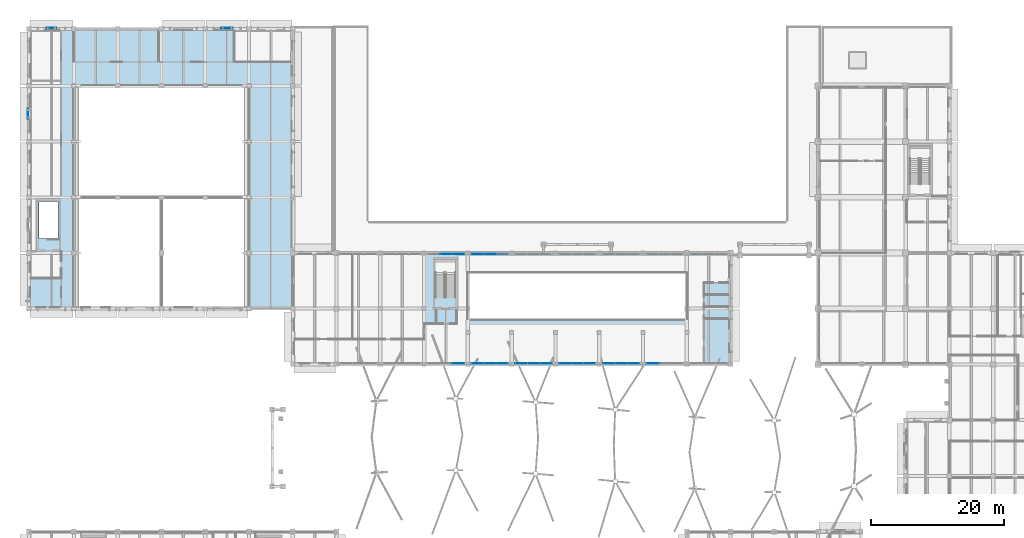
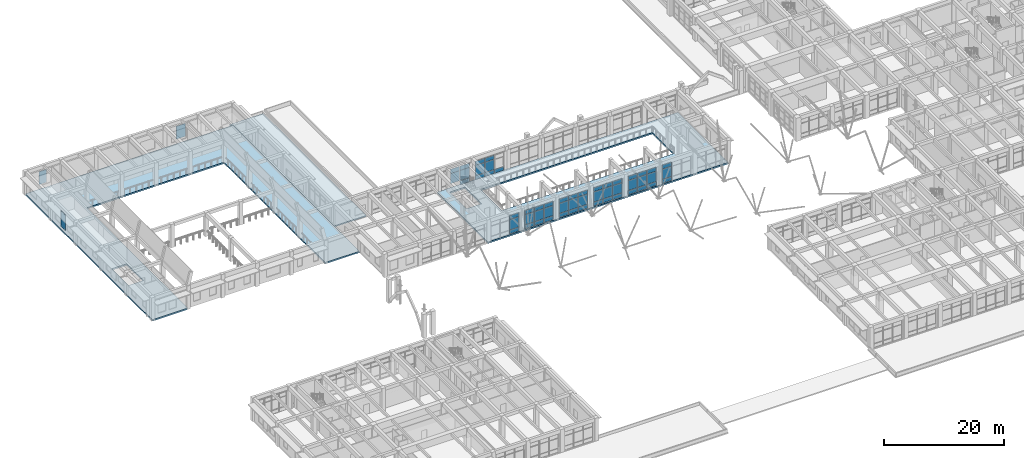
# One storey, part 36 of 75: 57 plates, 3 slabs, 8 elements without a shape of their own.
"""IFC4 building model written with IfcOpenShell, lengths in metres."""

from ifc_helpers import new_model, si_unit, direction, frame, origin, origin_2d, place, context, subcontext, project, spatial, polyline, rectangle, outline, extrude, material, layer, layer_set, type_object, element, aggregate, save


model = new_model("IFC4")

# Units and contexts
model_context = context("Model", 3, precision=1e-05, world=origin(), true_north=direction((0.0, 1.0)))
body_context = subcontext(model_context, "Body", "Model", "MODEL_VIEW")
ifc_project = project(units=[si_unit("LENGTHUNIT", "METRE"), si_unit("AREAUNIT", "SQUARE_METRE"), si_unit("VOLUMEUNIT", "CUBIC_METRE"), si_unit("PLANEANGLEUNIT", "RADIAN"), si_unit("MASSUNIT", "GRAM", prefix="KILO")], contexts=[model_context])

# Site, building, storey
site_placement = place(None, origin())
site = spatial("IfcSite", under=ifc_project, at=site_placement, CompositionType="ELEMENT")
building_placement = place(site_placement, origin())
building = spatial("IfcBuilding", under=site, at=building_placement, Name="Kolvaren Faculty of Natural Sciences", CompositionType="ELEMENT")
storey_placement = place(building_placement, frame((0.0, 0.0, 5.39990234375)))
storey = spatial("IfcBuildingStorey", under=building, at=storey_placement, Name="L01", CompositionType="ELEMENT", Elevation=5.39990234375)

# Curtain wall, plates
ifc_material_1 = material(Name="Thermally broken anodised aluminium framing", Category="aluminium")
ifc_layer_1 = layer(ifc_material_1, 0.179931640625)
ifc_layer_set_1 = layer_set([ifc_layer_1], Name="Thermally broken anodised aluminium framing")
curtain_wall_type = type_object("IfcCurtainWallType", Name="AtriumCurtainWall_CW01", PredefinedType="NOTDEFINED", material=ifc_layer_set_1)
curtain_wall_1_placement = place(storey_placement, origin())
curtain_wall_1 = element("IfcCurtainWall", 1, at=curtain_wall_1_placement, inside=storey, type_object=curtain_wall_type, Name="L01 unitised curtain wall CW-01 (CW-L01-055)", PredefinedType="NOTDEFINED")
ifc_material_2 = material(Name="Double low-E solar control insulated glazing", Category="glass")
ifc_layer_2 = layer(ifc_material_2, 0.035888671875)
ifc_layer_set_2 = layer_set([ifc_layer_2], Name="Double low-E solar control insulated glazing")
plate_type_1 = type_object("IfcPlateType", Name="EnvelopePlate_CWPGL1", PredefinedType="CURTAIN_PANEL", material=ifc_layer_set_2)
plate_1_placement = place(storey_placement, frame((62.89990234375, 84.0400390625, 0.920166015625), z_axis=(0.0, 0.0, 1.0), x_axis=(1.0, 0.0, 0.0)))
plate_1 = element("IfcPlate", 2, at=plate_1_placement, type_object=plate_type_1, Name="CW-L01-055 panel 2 V1", PredefinedType="CURTAIN_PANEL", context=body_context, shape_type="SweptSolid", body=[
    extrude(rectangle(XDim=1.783203125, YDim=0.035888671875, at=origin_2d()), origin(), (0.0, 0.0, 1.0), 2.044921875),
])
plate_2_placement = place(storey_placement, frame((64.7333984375, 84.0400390625, 0.920166015625), z_axis=(0.0, 0.0, 1.0), x_axis=(1.0, 0.0, 0.0)))
plate_2 = element("IfcPlate", 3, at=plate_2_placement, type_object=plate_type_1, Name="CW-L01-055 panel 3 V1", PredefinedType="CURTAIN_PANEL", context=body_context, shape_type="SweptSolid", body=[
    extrude(rectangle(XDim=1.783203125, YDim=0.035888671875, at=origin_2d()), origin(), (0.0, 0.0, 1.0), 2.044921875),
])

curtain_wall_2_placement = place(storey_placement, origin())
curtain_wall_2 = element("IfcCurtainWall", 4, at=curtain_wall_2_placement, inside=storey, type_object=curtain_wall_type, Name="L01 unitised curtain wall CW-01 (CW-L01-056)", PredefinedType="NOTDEFINED")
plate_3_placement = place(storey_placement, frame((67.666748046875, 84.0400390625, 0.920166015625), z_axis=(0.0, 0.0, 1.0), x_axis=(1.0, 0.0, 0.0)))
plate_3 = element("IfcPlate", 5, at=plate_3_placement, type_object=plate_type_1, Name="CW-L01-056 panel 1 V1", PredefinedType="CURTAIN_PANEL", context=body_context, shape_type="SweptSolid", body=[
    extrude(rectangle(XDim=1.783203125, YDim=0.035888671875, at=origin_2d()), origin(), (0.0, 0.0, 1.0), 2.044921875),
])
plate_4_placement = place(storey_placement, frame((69.5, 84.0400390625, 0.920166015625), z_axis=(0.0, 0.0, 1.0), x_axis=(1.0, 0.0, 0.0)))
plate_4 = element("IfcPlate", 6, at=plate_4_placement, type_object=plate_type_1, Name="CW-L01-056 panel 2 V1", PredefinedType="CURTAIN_PANEL", context=body_context, shape_type="SweptSolid", body=[
    extrude(rectangle(XDim=1.783203125, YDim=0.035888671875, at=origin_2d()), origin(), (0.0, 0.0, 1.0), 2.044921875),
])

# Curtain wall, plate
curtain_wall_3_placement = place(storey_placement, origin())
curtain_wall_3 = element("IfcCurtainWall", 7, at=curtain_wall_3_placement, inside=storey, type_object=curtain_wall_type, Name="L01 unitised curtain wall CW-01 (CW-L01-063)", PredefinedType="NOTDEFINED")
plate_5_placement = place(storey_placement, frame((94.066650390625, 67.56005859375, 0.920166015625), z_axis=(0.0, 0.0, 1.0), x_axis=(-1.0, 0.0, 0.0)))
plate_5 = element("IfcPlate", 8, at=plate_5_placement, type_object=plate_type_1, Name="CW-L01-063 panel 3 V1", PredefinedType="CURTAIN_PANEL", context=body_context, shape_type="SweptSolid", body=[
    extrude(rectangle(XDim=1.783203125, YDim=0.035888671875, at=origin_2d()), origin(), (0.0, 0.0, 1.0), 2.044921875),
])

# Curtain wall, plates
curtain_wall_4_placement = place(storey_placement, origin())
curtain_wall_4 = element("IfcCurtainWall", 9, at=curtain_wall_4_placement, inside=storey, type_object=curtain_wall_type, Name="L01 unitised curtain wall CW-01 (CW-L01-064)", PredefinedType="NOTDEFINED")
plate_6_placement = place(storey_placement, frame((91.13330078125, 67.56005859375, 0.920166015625), z_axis=(0.0, 0.0, 1.0), x_axis=(-1.0, 0.0, 0.0)))
plate_6 = element("IfcPlate", 10, at=plate_6_placement, type_object=plate_type_1, Name="CW-L01-064 panel 1 V1", PredefinedType="CURTAIN_PANEL", context=body_context, shape_type="SweptSolid", body=[
    extrude(rectangle(XDim=1.783203125, YDim=0.035888671875, at=origin_2d()), origin(), (0.0, 0.0, 1.0), 2.044921875),
])
plate_7_placement = place(storey_placement, frame((89.300048828125, 67.56005859375, 0.920166015625), z_axis=(0.0, 0.0, 1.0), x_axis=(-1.0, 0.0, 0.0)))
plate_7 = element("IfcPlate", 11, at=plate_7_placement, type_object=plate_type_1, Name="CW-L01-064 panel 2 V1", PredefinedType="CURTAIN_PANEL", context=body_context, shape_type="SweptSolid", body=[
    extrude(rectangle(XDim=1.783203125, YDim=0.035888671875, at=origin_2d()), origin(), (0.0, 0.0, 1.0), 2.044921875),
])
plate_8_placement = place(storey_placement, frame((87.466796875, 67.56005859375, 0.920166015625), z_axis=(0.0, 0.0, 1.0), x_axis=(-1.0, 0.0, 0.0)))
plate_8 = element("IfcPlate", 12, at=plate_8_placement, type_object=plate_type_1, Name="CW-L01-064 panel 3 V1", PredefinedType="CURTAIN_PANEL", context=body_context, shape_type="SweptSolid", body=[
    extrude(rectangle(XDim=1.783203125, YDim=0.035888671875, at=origin_2d()), origin(), (0.0, 0.0, 1.0), 2.044921875),
])

curtain_wall_5_placement = place(storey_placement, origin())
curtain_wall_5 = element("IfcCurtainWall", 13, at=curtain_wall_5_placement, inside=storey, type_object=curtain_wall_type, Name="L01 unitised curtain wall CW-01 (CW-L01-065)", PredefinedType="NOTDEFINED")
plate_9_placement = place(storey_placement, frame((84.533203125, 67.56005859375, 0.920166015625), z_axis=(0.0, 0.0, 1.0), x_axis=(-1.0, 0.0, 0.0)))
plate_9 = element("IfcPlate", 14, at=plate_9_placement, type_object=plate_type_1, Name="CW-L01-065 panel 1 V1", PredefinedType="CURTAIN_PANEL", context=body_context, shape_type="SweptSolid", body=[
    extrude(rectangle(XDim=1.783203125, YDim=0.035888671875, at=origin_2d()), origin(), (0.0, 0.0, 1.0), 2.044921875),
])
plate_10_placement = place(storey_placement, frame((82.699951171875, 67.56005859375, 0.920166015625), z_axis=(0.0, 0.0, 1.0), x_axis=(-1.0, 0.0, 0.0)))
plate_10 = element("IfcPlate", 15, at=plate_10_placement, type_object=plate_type_1, Name="CW-L01-065 panel 2 V1", PredefinedType="CURTAIN_PANEL", context=body_context, shape_type="SweptSolid", body=[
    extrude(rectangle(XDim=1.783203125, YDim=0.035888671875, at=origin_2d()), origin(), (0.0, 0.0, 1.0), 2.044921875),
])
plate_11_placement = place(storey_placement, frame((80.86669921875, 67.56005859375, 0.920166015625), z_axis=(0.0, 0.0, 1.0), x_axis=(-1.0, 0.0, 0.0)))
plate_11 = element("IfcPlate", 16, at=plate_11_placement, type_object=plate_type_1, Name="CW-L01-065 panel 3 V1", PredefinedType="CURTAIN_PANEL", context=body_context, shape_type="SweptSolid", body=[
    extrude(rectangle(XDim=1.783203125, YDim=0.035888671875, at=origin_2d()), origin(), (0.0, 0.0, 1.0), 2.044921875),
])

curtain_wall_6_placement = place(storey_placement, origin())
curtain_wall_6 = element("IfcCurtainWall", 17, at=curtain_wall_6_placement, inside=storey, type_object=curtain_wall_type, Name="L01 unitised curtain wall CW-01 (CW-L01-066)", PredefinedType="NOTDEFINED")
plate_12_placement = place(storey_placement, frame((77.933349609375, 67.56005859375, 0.920166015625), z_axis=(0.0, 0.0, 1.0), x_axis=(-1.0, 0.0, 0.0)))
plate_12 = element("IfcPlate", 18, at=plate_12_placement, type_object=plate_type_1, Name="CW-L01-066 panel 1 V1", PredefinedType="CURTAIN_PANEL", context=body_context, shape_type="SweptSolid", body=[
    extrude(rectangle(XDim=1.783203125, YDim=0.035888671875, at=origin_2d()), origin(), (0.0, 0.0, 1.0), 2.044921875),
])
plate_13_placement = place(storey_placement, frame((76.10009765625, 67.56005859375, 0.920166015625), z_axis=(0.0, 0.0, 1.0), x_axis=(-1.0, 0.0, 0.0)))
plate_13 = element("IfcPlate", 19, at=plate_13_placement, type_object=plate_type_1, Name="CW-L01-066 panel 2 V1", PredefinedType="CURTAIN_PANEL", context=body_context, shape_type="SweptSolid", body=[
    extrude(rectangle(XDim=1.783203125, YDim=0.035888671875, at=origin_2d()), origin(), (0.0, 0.0, 1.0), 2.044921875),
])
plate_14_placement = place(storey_placement, frame((74.2666015625, 67.56005859375, 0.920166015625), z_axis=(0.0, 0.0, 1.0), x_axis=(-1.0, 0.0, 0.0)))
plate_14 = element("IfcPlate", 20, at=plate_14_placement, type_object=plate_type_1, Name="CW-L01-066 panel 3 V1", PredefinedType="CURTAIN_PANEL", context=body_context, shape_type="SweptSolid", body=[
    extrude(rectangle(XDim=1.783203125, YDim=0.035888671875, at=origin_2d()), origin(), (0.0, 0.0, 1.0), 2.044921875),
])

curtain_wall_7_placement = place(storey_placement, origin())
curtain_wall_7 = element("IfcCurtainWall", 21, at=curtain_wall_7_placement, inside=storey, type_object=curtain_wall_type, Name="L01 unitised curtain wall CW-01 (CW-L01-067)", PredefinedType="NOTDEFINED")
plate_15_placement = place(storey_placement, frame((71.333251953125, 67.56005859375, 0.920166015625), z_axis=(0.0, 0.0, 1.0), x_axis=(-1.0, 0.0, 0.0)))
plate_15 = element("IfcPlate", 22, at=plate_15_placement, type_object=plate_type_1, Name="CW-L01-067 panel 1 V1", PredefinedType="CURTAIN_PANEL", context=body_context, shape_type="SweptSolid", body=[
    extrude(rectangle(XDim=1.783203125, YDim=0.035888671875, at=origin_2d()), origin(), (0.0, 0.0, 1.0), 2.044921875),
])
plate_16_placement = place(storey_placement, frame((69.5, 67.56005859375, 0.920166015625), z_axis=(0.0, 0.0, 1.0), x_axis=(-1.0, 0.0, 0.0)))
plate_16 = element("IfcPlate", 23, at=plate_16_placement, type_object=plate_type_1, Name="CW-L01-067 panel 2 V1", PredefinedType="CURTAIN_PANEL", context=body_context, shape_type="SweptSolid", body=[
    extrude(rectangle(XDim=1.783203125, YDim=0.035888671875, at=origin_2d()), origin(), (0.0, 0.0, 1.0), 2.044921875),
])
plate_17_placement = place(storey_placement, frame((67.666748046875, 67.56005859375, 0.920166015625), z_axis=(0.0, 0.0, 1.0), x_axis=(-1.0, 0.0, 0.0)))
plate_17 = element("IfcPlate", 24, at=plate_17_placement, type_object=plate_type_1, Name="CW-L01-067 panel 3 V1", PredefinedType="CURTAIN_PANEL", context=body_context, shape_type="SweptSolid", body=[
    extrude(rectangle(XDim=1.783203125, YDim=0.035888671875, at=origin_2d()), origin(), (0.0, 0.0, 1.0), 2.044921875),
])

# Curtain wall, plate
curtain_wall_8_placement = place(storey_placement, origin())
curtain_wall_8 = element("IfcCurtainWall", 25, at=curtain_wall_8_placement, inside=storey, type_object=curtain_wall_type, Name="L01 unitised curtain wall CW-01 (CW-L01-068)", PredefinedType="NOTDEFINED")
plate_18_placement = place(storey_placement, frame((64.7333984375, 67.56005859375, 0.920166015625), z_axis=(0.0, 0.0, 1.0), x_axis=(-1.0, 0.0, 0.0)))
plate_18 = element("IfcPlate", 26, at=plate_18_placement, type_object=plate_type_1, Name="CW-L01-068 panel 1 V1", PredefinedType="CURTAIN_PANEL", context=body_context, shape_type="SweptSolid", body=[
    extrude(rectangle(XDim=1.783203125, YDim=0.035888671875, at=origin_2d()), origin(), (0.0, 0.0, 1.0), 2.044921875),
])

# Plate
ifc_layer_3 = layer(ifc_material_2, 0.035888671875)
ifc_layer_set_3 = layer_set([ifc_layer_3], Name="Double low-E solar control insulated glazing")
plate_type_2 = type_object("IfcPlateType", Name="EnvelopePlate_CWPGL2", PredefinedType="CURTAIN_PANEL", material=ifc_layer_set_3)
plate_19_placement = place(storey_placement, frame((62.89990234375, 84.0400390625, 3.005126953125), z_axis=(0.0, 0.0, 1.0), x_axis=(1.0, 0.0, 0.0)))
plate_19 = element("IfcPlate", 27, at=plate_19_placement, type_object=plate_type_2, Name="CW-L01-055 panel 2 V2", PredefinedType="CURTAIN_PANEL", context=body_context, shape_type="SweptSolid", body=[
    extrude(rectangle(XDim=1.783203125, YDim=0.035888671875, at=origin_2d()), origin(), (0.0, 0.0, 1.0), 0.830078125),
])

plate_20_placement = place(storey_placement, frame((64.7333984375, 84.0400390625, 3.005126953125), z_axis=(0.0, 0.0, 1.0), x_axis=(1.0, 0.0, 0.0)))
plate_20 = element("IfcPlate", 28, at=plate_20_placement, type_object=plate_type_2, Name="CW-L01-055 panel 3 V2", PredefinedType="CURTAIN_PANEL", context=body_context, shape_type="SweptSolid", body=[
    extrude(rectangle(XDim=1.783203125, YDim=0.035888671875, at=origin_2d()), origin(), (0.0, 0.0, 1.0), 0.830078125),
])

plate_21_placement = place(storey_placement, frame((67.666748046875, 84.0400390625, 3.005126953125), z_axis=(0.0, 0.0, 1.0), x_axis=(1.0, 0.0, 0.0)))
plate_21 = element("IfcPlate", 29, at=plate_21_placement, type_object=plate_type_2, Name="CW-L01-056 panel 1 V2", PredefinedType="CURTAIN_PANEL", context=body_context, shape_type="SweptSolid", body=[
    extrude(rectangle(XDim=1.783203125, YDim=0.035888671875, at=origin_2d()), origin(), (0.0, 0.0, 1.0), 0.830078125),
])

plate_22_placement = place(storey_placement, frame((69.5, 84.0400390625, 3.005126953125), z_axis=(0.0, 0.0, 1.0), x_axis=(1.0, 0.0, 0.0)))
plate_22 = element("IfcPlate", 30, at=plate_22_placement, type_object=plate_type_2, Name="CW-L01-056 panel 2 V2", PredefinedType="CURTAIN_PANEL", context=body_context, shape_type="SweptSolid", body=[
    extrude(rectangle(XDim=1.783203125, YDim=0.035888671875, at=origin_2d()), origin(), (0.0, 0.0, 1.0), 0.830078125),
])

plate_23_placement = place(storey_placement, frame((94.066650390625, 67.56005859375, 3.005126953125), z_axis=(0.0, 0.0, 1.0), x_axis=(-1.0, 0.0, 0.0)))
plate_23 = element("IfcPlate", 31, at=plate_23_placement, type_object=plate_type_2, Name="CW-L01-063 panel 3 V2", PredefinedType="CURTAIN_PANEL", context=body_context, shape_type="SweptSolid", body=[
    extrude(rectangle(XDim=1.783203125, YDim=0.035888671875, at=origin_2d()), origin(), (0.0, 0.0, 1.0), 0.830078125),
])

plate_24_placement = place(storey_placement, frame((91.13330078125, 67.56005859375, 3.005126953125), z_axis=(0.0, 0.0, 1.0), x_axis=(-1.0, 0.0, 0.0)))
plate_24 = element("IfcPlate", 32, at=plate_24_placement, type_object=plate_type_2, Name="CW-L01-064 panel 1 V2", PredefinedType="CURTAIN_PANEL", context=body_context, shape_type="SweptSolid", body=[
    extrude(rectangle(XDim=1.783203125, YDim=0.035888671875, at=origin_2d()), origin(), (0.0, 0.0, 1.0), 0.830078125),
])

plate_25_placement = place(storey_placement, frame((89.300048828125, 67.56005859375, 3.005126953125), z_axis=(0.0, 0.0, 1.0), x_axis=(-1.0, 0.0, 0.0)))
plate_25 = element("IfcPlate", 33, at=plate_25_placement, type_object=plate_type_2, Name="CW-L01-064 panel 2 V2", PredefinedType="CURTAIN_PANEL", context=body_context, shape_type="SweptSolid", body=[
    extrude(rectangle(XDim=1.783203125, YDim=0.035888671875, at=origin_2d()), origin(), (0.0, 0.0, 1.0), 0.830078125),
])

plate_26_placement = place(storey_placement, frame((87.466796875, 67.56005859375, 3.005126953125), z_axis=(0.0, 0.0, 1.0), x_axis=(-1.0, 0.0, 0.0)))
plate_26 = element("IfcPlate", 34, at=plate_26_placement, type_object=plate_type_2, Name="CW-L01-064 panel 3 V2", PredefinedType="CURTAIN_PANEL", context=body_context, shape_type="SweptSolid", body=[
    extrude(rectangle(XDim=1.783203125, YDim=0.035888671875, at=origin_2d()), origin(), (0.0, 0.0, 1.0), 0.830078125),
])

plate_27_placement = place(storey_placement, frame((84.533203125, 67.56005859375, 3.005126953125), z_axis=(0.0, 0.0, 1.0), x_axis=(-1.0, 0.0, 0.0)))
plate_27 = element("IfcPlate", 35, at=plate_27_placement, type_object=plate_type_2, Name="CW-L01-065 panel 1 V2", PredefinedType="CURTAIN_PANEL", context=body_context, shape_type="SweptSolid", body=[
    extrude(rectangle(XDim=1.783203125, YDim=0.035888671875, at=origin_2d()), origin(), (0.0, 0.0, 1.0), 0.830078125),
])

plate_28_placement = place(storey_placement, frame((82.699951171875, 67.56005859375, 3.005126953125), z_axis=(0.0, 0.0, 1.0), x_axis=(-1.0, 0.0, 0.0)))
plate_28 = element("IfcPlate", 36, at=plate_28_placement, type_object=plate_type_2, Name="CW-L01-065 panel 2 V2", PredefinedType="CURTAIN_PANEL", context=body_context, shape_type="SweptSolid", body=[
    extrude(rectangle(XDim=1.783203125, YDim=0.035888671875, at=origin_2d()), origin(), (0.0, 0.0, 1.0), 0.830078125),
])

plate_29_placement = place(storey_placement, frame((80.86669921875, 67.56005859375, 3.005126953125), z_axis=(0.0, 0.0, 1.0), x_axis=(-1.0, 0.0, 0.0)))
plate_29 = element("IfcPlate", 37, at=plate_29_placement, type_object=plate_type_2, Name="CW-L01-065 panel 3 V2", PredefinedType="CURTAIN_PANEL", context=body_context, shape_type="SweptSolid", body=[
    extrude(rectangle(XDim=1.783203125, YDim=0.035888671875, at=origin_2d()), origin(), (0.0, 0.0, 1.0), 0.830078125),
])

plate_30_placement = place(storey_placement, frame((77.933349609375, 67.56005859375, 3.005126953125), z_axis=(0.0, 0.0, 1.0), x_axis=(-1.0, 0.0, 0.0)))
plate_30 = element("IfcPlate", 38, at=plate_30_placement, type_object=plate_type_2, Name="CW-L01-066 panel 1 V2", PredefinedType="CURTAIN_PANEL", context=body_context, shape_type="SweptSolid", body=[
    extrude(rectangle(XDim=1.783203125, YDim=0.035888671875, at=origin_2d()), origin(), (0.0, 0.0, 1.0), 0.830078125),
])

plate_31_placement = place(storey_placement, frame((76.10009765625, 67.56005859375, 3.005126953125), z_axis=(0.0, 0.0, 1.0), x_axis=(-1.0, 0.0, 0.0)))
plate_31 = element("IfcPlate", 39, at=plate_31_placement, type_object=plate_type_2, Name="CW-L01-066 panel 2 V2", PredefinedType="CURTAIN_PANEL", context=body_context, shape_type="SweptSolid", body=[
    extrude(rectangle(XDim=1.783203125, YDim=0.035888671875, at=origin_2d()), origin(), (0.0, 0.0, 1.0), 0.830078125),
])

plate_32_placement = place(storey_placement, frame((74.2666015625, 67.56005859375, 3.005126953125), z_axis=(0.0, 0.0, 1.0), x_axis=(-1.0, 0.0, 0.0)))
plate_32 = element("IfcPlate", 40, at=plate_32_placement, type_object=plate_type_2, Name="CW-L01-066 panel 3 V2", PredefinedType="CURTAIN_PANEL", context=body_context, shape_type="SweptSolid", body=[
    extrude(rectangle(XDim=1.783203125, YDim=0.035888671875, at=origin_2d()), origin(), (0.0, 0.0, 1.0), 0.830078125),
])

plate_33_placement = place(storey_placement, frame((71.333251953125, 67.56005859375, 3.005126953125), z_axis=(0.0, 0.0, 1.0), x_axis=(-1.0, 0.0, 0.0)))
plate_33 = element("IfcPlate", 41, at=plate_33_placement, type_object=plate_type_2, Name="CW-L01-067 panel 1 V2", PredefinedType="CURTAIN_PANEL", context=body_context, shape_type="SweptSolid", body=[
    extrude(rectangle(XDim=1.783203125, YDim=0.035888671875, at=origin_2d()), origin(), (0.0, 0.0, 1.0), 0.830078125),
])

plate_34_placement = place(storey_placement, frame((69.5, 67.56005859375, 3.005126953125), z_axis=(0.0, 0.0, 1.0), x_axis=(-1.0, 0.0, 0.0)))
plate_34 = element("IfcPlate", 42, at=plate_34_placement, type_object=plate_type_2, Name="CW-L01-067 panel 2 V2", PredefinedType="CURTAIN_PANEL", context=body_context, shape_type="SweptSolid", body=[
    extrude(rectangle(XDim=1.783203125, YDim=0.035888671875, at=origin_2d()), origin(), (0.0, 0.0, 1.0), 0.830078125),
])

plate_35_placement = place(storey_placement, frame((67.666748046875, 67.56005859375, 3.005126953125), z_axis=(0.0, 0.0, 1.0), x_axis=(-1.0, 0.0, 0.0)))
plate_35 = element("IfcPlate", 43, at=plate_35_placement, type_object=plate_type_2, Name="CW-L01-067 panel 3 V2", PredefinedType="CURTAIN_PANEL", context=body_context, shape_type="SweptSolid", body=[
    extrude(rectangle(XDim=1.783203125, YDim=0.035888671875, at=origin_2d()), origin(), (0.0, 0.0, 1.0), 0.830078125),
])

plate_36_placement = place(storey_placement, frame((64.7333984375, 67.56005859375, 3.005126953125), z_axis=(0.0, 0.0, 1.0), x_axis=(-1.0, 0.0, 0.0)))
plate_36 = element("IfcPlate", 44, at=plate_36_placement, type_object=plate_type_2, Name="CW-L01-068 panel 1 V2", PredefinedType="CURTAIN_PANEL", context=body_context, shape_type="SweptSolid", body=[
    extrude(rectangle(XDim=1.783203125, YDim=0.035888671875, at=origin_2d()), origin(), (0.0, 0.0, 1.0), 0.830078125),
])

ifc_material_3 = material(Name="Insulated anodised aluminium spandrel panel", Category="aluminium")
ifc_layer_4 = layer(ifc_material_3, 0.050048828125)
ifc_layer_set_4 = layer_set([ifc_layer_4], Name="Insulated anodised aluminium spandrel panel")
plate_type_3 = type_object("IfcPlateType", Name="EnvelopePlate_CWPSP1", PredefinedType="SHEET", material=ifc_layer_set_4)
plate_37_placement = place(storey_placement, frame((64.7333984375, 84.0400390625, 0.10009765625), z_axis=(0.0, 0.0, 1.0), x_axis=(1.0, 0.0, 0.0)))
plate_37 = element("IfcPlate", 45, at=plate_37_placement, type_object=plate_type_3, Name="CW-L01-055 panel 3 SP", PredefinedType="SHEET", context=body_context, shape_type="SweptSolid", body=[
    extrude(rectangle(XDim=1.783203125, YDim=0.050048828125, at=origin_2d()), origin(), (0.0, 0.0, 1.0), 0.780029296875),
])

aggregate(curtain_wall_1, [plate_1, plate_19, plate_37, plate_2, plate_20])

plate_38_placement = place(storey_placement, frame((67.666748046875, 84.0400390625, 0.10009765625), z_axis=(0.0, 0.0, 1.0), x_axis=(1.0, 0.0, 0.0)))
plate_38 = element("IfcPlate", 46, at=plate_38_placement, type_object=plate_type_3, Name="CW-L01-056 panel 1 SP", PredefinedType="SHEET", context=body_context, shape_type="SweptSolid", body=[
    extrude(rectangle(XDim=1.783203125, YDim=0.050048828125, at=origin_2d()), origin(), (0.0, 0.0, 1.0), 0.780029296875),
])

plate_39_placement = place(storey_placement, frame((69.5, 84.0400390625, 0.10009765625), z_axis=(0.0, 0.0, 1.0), x_axis=(1.0, 0.0, 0.0)))
plate_39 = element("IfcPlate", 47, at=plate_39_placement, type_object=plate_type_3, Name="CW-L01-056 panel 2 SP", PredefinedType="SHEET", context=body_context, shape_type="SweptSolid", body=[
    extrude(rectangle(XDim=1.783203125, YDim=0.050048828125, at=origin_2d()), origin(), (0.0, 0.0, 1.0), 0.780029296875),
])

plate_40_placement = place(storey_placement, frame((71.333251953125, 84.0400390625, 0.10009765625), z_axis=(0.0, 0.0, 1.0), x_axis=(1.0, 0.0, 0.0)))
plate_40 = element("IfcPlate", 48, at=plate_40_placement, type_object=plate_type_3, Name="CW-L01-056 panel 3 SP", PredefinedType="SHEET", context=body_context, shape_type="SweptSolid", body=[
    extrude(rectangle(XDim=1.783203125, YDim=0.050048828125, at=origin_2d()), origin(), (0.0, 0.0, 1.0), 0.780029296875),
])

aggregate(curtain_wall_2, [plate_38, plate_3, plate_21, plate_39, plate_4, plate_22, plate_40])

plate_41_placement = place(storey_placement, frame((94.066650390625, 67.56005859375, 0.10009765625), z_axis=(0.0, 0.0, 1.0), x_axis=(-1.0, 0.0, 0.0)))
plate_41 = element("IfcPlate", 49, at=plate_41_placement, type_object=plate_type_3, Name="CW-L01-063 panel 3 SP", PredefinedType="SHEET", context=body_context, shape_type="SweptSolid", body=[
    extrude(rectangle(XDim=1.783203125, YDim=0.050048828125, at=origin_2d()), origin(), (0.0, 0.0, 1.0), 0.780029296875),
])

aggregate(curtain_wall_3, [plate_41, plate_5, plate_23])

plate_42_placement = place(storey_placement, frame((91.13330078125, 67.56005859375, 0.10009765625), z_axis=(0.0, 0.0, 1.0), x_axis=(-1.0, 0.0, 0.0)))
plate_42 = element("IfcPlate", 50, at=plate_42_placement, type_object=plate_type_3, Name="CW-L01-064 panel 1 SP", PredefinedType="SHEET", context=body_context, shape_type="SweptSolid", body=[
    extrude(rectangle(XDim=1.783203125, YDim=0.050048828125, at=origin_2d()), origin(), (0.0, 0.0, 1.0), 0.780029296875),
])

plate_43_placement = place(storey_placement, frame((89.300048828125, 67.56005859375, 0.10009765625), z_axis=(0.0, 0.0, 1.0), x_axis=(-1.0, 0.0, 0.0)))
plate_43 = element("IfcPlate", 51, at=plate_43_placement, type_object=plate_type_3, Name="CW-L01-064 panel 2 SP", PredefinedType="SHEET", context=body_context, shape_type="SweptSolid", body=[
    extrude(rectangle(XDim=1.783203125, YDim=0.050048828125, at=origin_2d()), origin(), (0.0, 0.0, 1.0), 0.780029296875),
])

plate_44_placement = place(storey_placement, frame((87.466796875, 67.56005859375, 0.10009765625), z_axis=(0.0, 0.0, 1.0), x_axis=(-1.0, 0.0, 0.0)))
plate_44 = element("IfcPlate", 52, at=plate_44_placement, type_object=plate_type_3, Name="CW-L01-064 panel 3 SP", PredefinedType="SHEET", context=body_context, shape_type="SweptSolid", body=[
    extrude(rectangle(XDim=1.783203125, YDim=0.050048828125, at=origin_2d()), origin(), (0.0, 0.0, 1.0), 0.780029296875),
])

aggregate(curtain_wall_4, [plate_42, plate_6, plate_24, plate_43, plate_7, plate_25, plate_44, plate_8, plate_26])

plate_45_placement = place(storey_placement, frame((84.533203125, 67.56005859375, 0.10009765625), z_axis=(0.0, 0.0, 1.0), x_axis=(-1.0, 0.0, 0.0)))
plate_45 = element("IfcPlate", 53, at=plate_45_placement, type_object=plate_type_3, Name="CW-L01-065 panel 1 SP", PredefinedType="SHEET", context=body_context, shape_type="SweptSolid", body=[
    extrude(rectangle(XDim=1.783203125, YDim=0.050048828125, at=origin_2d()), origin(), (0.0, 0.0, 1.0), 0.780029296875),
])

plate_46_placement = place(storey_placement, frame((82.699951171875, 67.56005859375, 0.10009765625), z_axis=(0.0, 0.0, 1.0), x_axis=(-1.0, 0.0, 0.0)))
plate_46 = element("IfcPlate", 54, at=plate_46_placement, type_object=plate_type_3, Name="CW-L01-065 panel 2 SP", PredefinedType="SHEET", context=body_context, shape_type="SweptSolid", body=[
    extrude(rectangle(XDim=1.783203125, YDim=0.050048828125, at=origin_2d()), origin(), (0.0, 0.0, 1.0), 0.780029296875),
])

plate_47_placement = place(storey_placement, frame((80.86669921875, 67.56005859375, 0.10009765625), z_axis=(0.0, 0.0, 1.0), x_axis=(-1.0, 0.0, 0.0)))
plate_47 = element("IfcPlate", 55, at=plate_47_placement, type_object=plate_type_3, Name="CW-L01-065 panel 3 SP", PredefinedType="SHEET", context=body_context, shape_type="SweptSolid", body=[
    extrude(rectangle(XDim=1.783203125, YDim=0.050048828125, at=origin_2d()), origin(), (0.0, 0.0, 1.0), 0.780029296875),
])

aggregate(curtain_wall_5, [plate_45, plate_9, plate_27, plate_46, plate_10, plate_28, plate_47, plate_11, plate_29])

plate_48_placement = place(storey_placement, frame((77.933349609375, 67.56005859375, 0.10009765625), z_axis=(0.0, 0.0, 1.0), x_axis=(-1.0, 0.0, 0.0)))
plate_48 = element("IfcPlate", 56, at=plate_48_placement, type_object=plate_type_3, Name="CW-L01-066 panel 1 SP", PredefinedType="SHEET", context=body_context, shape_type="SweptSolid", body=[
    extrude(rectangle(XDim=1.783203125, YDim=0.050048828125, at=origin_2d()), origin(), (0.0, 0.0, 1.0), 0.780029296875),
])

plate_49_placement = place(storey_placement, frame((76.10009765625, 67.56005859375, 0.10009765625), z_axis=(0.0, 0.0, 1.0), x_axis=(-1.0, 0.0, 0.0)))
plate_49 = element("IfcPlate", 57, at=plate_49_placement, type_object=plate_type_3, Name="CW-L01-066 panel 2 SP", PredefinedType="SHEET", context=body_context, shape_type="SweptSolid", body=[
    extrude(rectangle(XDim=1.783203125, YDim=0.050048828125, at=origin_2d()), origin(), (0.0, 0.0, 1.0), 0.780029296875),
])

plate_50_placement = place(storey_placement, frame((74.2666015625, 67.56005859375, 0.10009765625), z_axis=(0.0, 0.0, 1.0), x_axis=(-1.0, 0.0, 0.0)))
plate_50 = element("IfcPlate", 58, at=plate_50_placement, type_object=plate_type_3, Name="CW-L01-066 panel 3 SP", PredefinedType="SHEET", context=body_context, shape_type="SweptSolid", body=[
    extrude(rectangle(XDim=1.783203125, YDim=0.050048828125, at=origin_2d()), origin(), (0.0, 0.0, 1.0), 0.780029296875),
])

aggregate(curtain_wall_6, [plate_48, plate_12, plate_30, plate_49, plate_13, plate_31, plate_50, plate_14, plate_32])

plate_51_placement = place(storey_placement, frame((71.333251953125, 67.56005859375, 0.10009765625), z_axis=(0.0, 0.0, 1.0), x_axis=(-1.0, 0.0, 0.0)))
plate_51 = element("IfcPlate", 59, at=plate_51_placement, type_object=plate_type_3, Name="CW-L01-067 panel 1 SP", PredefinedType="SHEET", context=body_context, shape_type="SweptSolid", body=[
    extrude(rectangle(XDim=1.783203125, YDim=0.050048828125, at=origin_2d()), origin(), (0.0, 0.0, 1.0), 0.780029296875),
])

plate_52_placement = place(storey_placement, frame((69.5, 67.56005859375, 0.10009765625), z_axis=(0.0, 0.0, 1.0), x_axis=(-1.0, 0.0, 0.0)))
plate_52 = element("IfcPlate", 60, at=plate_52_placement, type_object=plate_type_3, Name="CW-L01-067 panel 2 SP", PredefinedType="SHEET", context=body_context, shape_type="SweptSolid", body=[
    extrude(rectangle(XDim=1.783203125, YDim=0.050048828125, at=origin_2d()), origin(), (0.0, 0.0, 1.0), 0.780029296875),
])

plate_53_placement = place(storey_placement, frame((67.666748046875, 67.56005859375, 0.10009765625), z_axis=(0.0, 0.0, 1.0), x_axis=(-1.0, 0.0, 0.0)))
plate_53 = element("IfcPlate", 61, at=plate_53_placement, type_object=plate_type_3, Name="CW-L01-067 panel 3 SP", PredefinedType="SHEET", context=body_context, shape_type="SweptSolid", body=[
    extrude(rectangle(XDim=1.783203125, YDim=0.050048828125, at=origin_2d()), origin(), (0.0, 0.0, 1.0), 0.780029296875),
])

aggregate(curtain_wall_7, [plate_51, plate_15, plate_33, plate_52, plate_16, plate_34, plate_53, plate_17, plate_35])

plate_54_placement = place(storey_placement, frame((64.7333984375, 67.56005859375, 0.10009765625), z_axis=(0.0, 0.0, 1.0), x_axis=(-1.0, 0.0, 0.0)))
plate_54 = element("IfcPlate", 62, at=plate_54_placement, type_object=plate_type_3, Name="CW-L01-068 panel 1 SP", PredefinedType="SHEET", context=body_context, shape_type="SweptSolid", body=[
    extrude(rectangle(XDim=1.783203125, YDim=0.050048828125, at=origin_2d()), origin(), (0.0, 0.0, 1.0), 0.780029296875),
])

aggregate(curtain_wall_8, [plate_54, plate_18, plate_36])

# Plates
ifc_material_4 = material(Name="Extruded architectural terracotta screen", Category="masonry")
ifc_layer_5 = layer(ifc_material_4, 0.06494140625)
ifc_layer_set_5 = layer_set([ifc_layer_5], Name="Extruded architectural terracotta screen")
plate_type_4 = type_object("IfcPlateType", Name="EnvelopePlate_JL01", PredefinedType="USERDEFINED", material=ifc_layer_set_5)
plate_55_placement = place(storey_placement, frame((3.39990234375, 118.139892578125, 0.85009765625), z_axis=(0.0, 0.0, 1.0), x_axis=(1.0, 0.0, 0.0)))
element("IfcPlate", 63, at=plate_55_placement, inside=storey, type_object=plate_type_4, Name="L01 perforated terracotta jali sun screen JL-01", ObjectType="SCREEN", PredefinedType="USERDEFINED", context=body_context, shape_type="SweptSolid", body=[
    extrude(rectangle(XDim=1.449951171875, YDim=0.06494140625, at=origin_2d()), origin(), (0.0, 0.0, 1.0), 2.60009765625),
])
ifc_layer_6 = layer(ifc_material_4, 0.06494140625)
ifc_layer_set_6 = layer_set([ifc_layer_6], Name="Extruded architectural terracotta screen")
plate_type_5 = type_object("IfcPlateType", Name="EnvelopePlate_JL02", PredefinedType="USERDEFINED", material=ifc_layer_set_6)
plate_56_placement = place(storey_placement, frame((29.89990234375, 118.139892578125, 0.85009765625), z_axis=(0.0, 0.0, 1.0), x_axis=(1.0, 0.0, 0.0)))
element("IfcPlate", 64, at=plate_56_placement, inside=storey, type_object=plate_type_5, Name="L01 perforated terracotta jali sun screen JL-02", ObjectType="SCREEN", PredefinedType="USERDEFINED", context=body_context, shape_type="SweptSolid", body=[
    extrude(rectangle(XDim=1.75, YDim=0.06494140625, at=origin_2d()), origin(), (0.0, 0.0, 1.0), 2.60009765625),
])
ifc_layer_7 = layer(ifc_material_4, 0.06494140625)
ifc_layer_set_7 = layer_set([ifc_layer_7], Name="Extruded architectural terracotta screen")
plate_type_6 = type_object("IfcPlateType", Name="EnvelopePlate_JL03", PredefinedType="USERDEFINED", material=ifc_layer_set_7)
plate_57_placement = place(storey_placement, frame((-0.139892578125, 105.199951171875, 0.85009765625), z_axis=(0.0, 0.0, 1.0), x_axis=(0.0, 1.0, 0.0)))
element("IfcPlate", 65, at=plate_57_placement, inside=storey, type_object=plate_type_6, Name="L01 perforated terracotta jali sun screen JL-03", ObjectType="SCREEN", PredefinedType="USERDEFINED", context=body_context, shape_type="SweptSolid", body=[
    extrude(rectangle(XDim=1.449951171875, YDim=0.06494140625, at=origin_2d()), origin(), (0.0, 0.0, 1.0), 3.10009765625),
])

# Slabs
ifc_material_5 = material(Name="Concrete C35/45", Category="concrete")
ifc_layer_8 = layer(ifc_material_5, 0.219970703125)
ifc_layer_set_8 = layer_set([ifc_layer_8], Name="Concrete C35/45")
slab_type_1 = type_object("IfcSlabType", Name="FlatWingRoofSlab_220", PredefinedType="ROOF", material=ifc_layer_set_8)
slab_1_placement = place(storey_placement, frame((0.0, 0.0, -0.219970703125)))
element("IfcSlab", 66, at=slab_1_placement, inside=storey, type_object=slab_type_1, Name="L01 flat reinforced concrete roof slab 4", PredefinedType="ROOF", context=body_context, shape_type="SweptSolid", body=[
    extrude(outline(polyline([(39.820068359375, 118.0), (39.81982421875, 118.001953125), (39.819580078125, 118.00390625), (39.819091796875, 118.005859375), (39.818603515625, 118.0078125), (39.817626953125, 118.009521484375), (39.816650390625, 118.010986328125), (39.8154296875, 118.0126953125), (39.814208984375, 118.01416015625), (39.812744140625, 118.015380859375), (39.81103515625, 118.0166015625), (39.809326171875, 118.017578125), (39.8076171875, 118.0185546875), (39.805908203125, 118.01904296875), (39.803955078125, 118.01953125), (39.802001953125, 118.02001953125), (39.800048828125, 118.02001953125), (39.419921875, 118.02001953125), (39.419921875, 118.429931640625), (45.919921875, 118.429931640625), (45.919921875, 84.219970703125), (39.820068359375, 84.219970703125), (39.820068359375, 118.0)])), origin(), (0.0, 0.0, 1.0), 0.219970703125),
])
ifc_layer_9 = layer(ifc_material_5, 0.300048828125)
ifc_layer_set_9 = layer_set([ifc_layer_9], Name="Concrete C35/45")
slab_type_2 = type_object("IfcSlabType", Name="LabFloorSlab_300", PredefinedType="FLOOR", material=ifc_layer_set_9)
slab_2_placement = place(storey_placement, frame((0.0, 0.0, -0.2998046875)))
element("IfcSlab", 67, at=slab_2_placement, inside=storey, type_object=slab_type_2, Name="L01 V1 structural slab 1", PredefinedType="FLOOR", context=body_context, shape_type="SweptSolid", body=[
    extrude(outline(polyline([(0.0, 75.800048828125), (0.0, 118.0), (39.800048828125, 118.0), (39.800048828125, 75.800048828125), (33.199951171875, 75.800048828125), (33.199951171875, 92.60009765625), (33.199951171875, 109.39990234375), (6.800048828125, 109.39990234375), (6.800048828125, 92.60009765625), (6.800048828125, 75.800048828125), (0.0, 75.800048828125)]), holes=[polyline([(4.429931640625, 86.419921875), (4.429931640625, 91.97998046875), (1.570068359375, 91.97998046875), (1.570068359375, 86.419921875), (4.429931640625, 86.419921875)])]), origin(), (0.0, 0.0, 1.0), 0.2998046875),
])
slab_3_placement = place(storey_placement, frame((0.0, 0.0, -0.2998046875)))
element("IfcSlab", 68, at=slab_3_placement, inside=storey, type_object=slab_type_2, Name="L01 V3 structural slab 1", PredefinedType="FLOOR", context=body_context, shape_type="SweptSolid", body=[
    extrude(outline(polyline([(59.60009765625, 67.39990234375), (59.60009765625, 84.199951171875), (105.800048828125, 84.199951171875), (105.800048828125, 67.39990234375), (59.60009765625, 67.39990234375)]), holes=[polyline([(99.199951171875, 74.199951171875), (99.199951171875, 81.199951171875), (66.199951171875, 81.199951171875), (66.199951171875, 74.199951171875), (99.199951171875, 74.199951171875)]), polyline([(64.22998046875, 83.1298828125), (61.3701171875, 83.1298828125), (61.3701171875, 77.570068359375), (64.22998046875, 77.570068359375), (64.22998046875, 83.1298828125)])]), origin(), (0.0, 0.0, 1.0), 0.2998046875),
])

save(model, "model.ifc")
